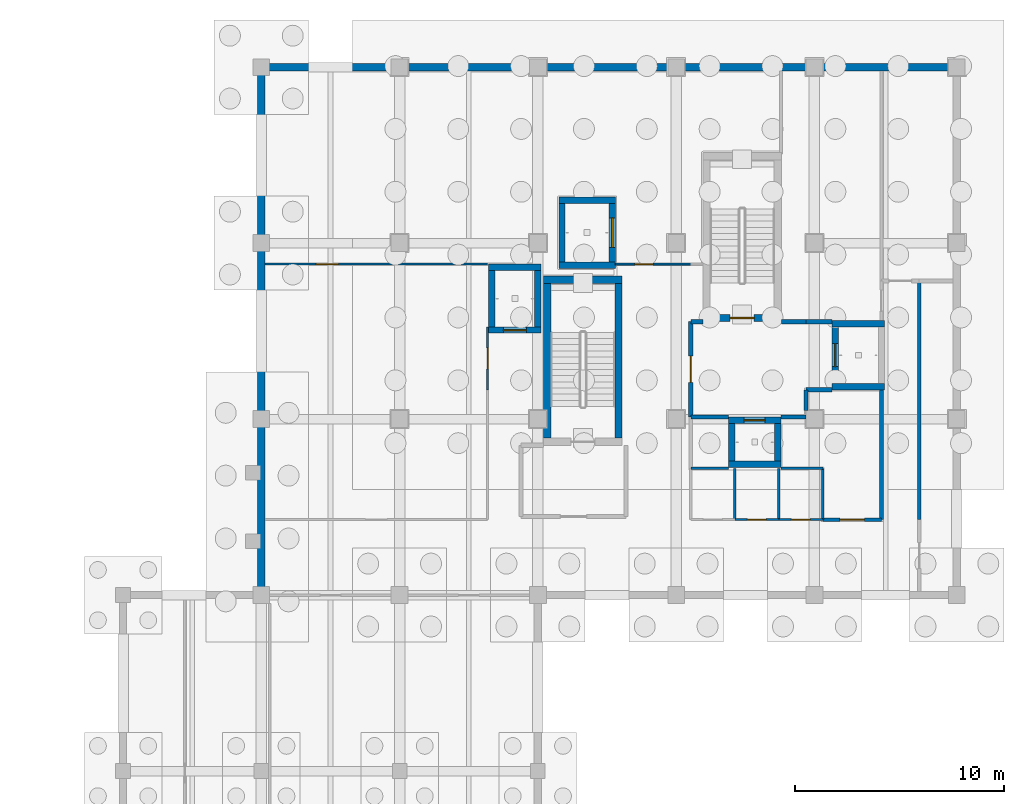
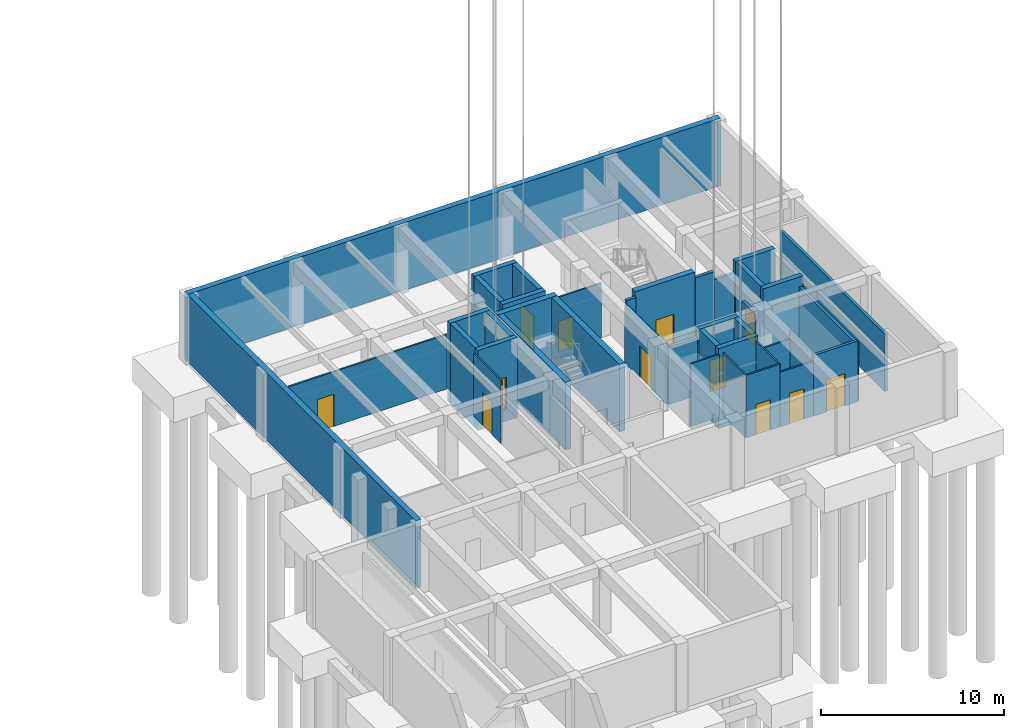
# One storey, part 37 of 44: 42 walls, 12 doors, 12 openings.
"""IFC4 building model written with IfcOpenShell, lengths in metres."""

import ifcopenshell
import ifcopenshell.guid

model = None  # the IFC model being written
_history = None  # IfcOwnerHistory: only IFC2X3 demands one
_inside = {}  # id of a spatial element -> (the spatial element, [elements in it])
_under = {}  # id of a project, library or spatial element -> (it, [spatial elements below it])
_declared = {}  # id of a project -> (the project, [libraries it declares])
_typed = {}  # id of a type object -> (the type object, [elements of that type])
_made_of = {}  # id of a material, layer set ... -> (it, [elements and type objects made of it])


def new_model(schema):
    """Start an empty IFC model of exactly this schema.

    Asked for "IFC4X3", IfcOpenShell would pick the latest addendum, in which some entities
    have other attributes; the version numbers below select the first issue.
    IFC2X3 requires an IfcOwnerHistory on every rooted entity: one is made here for all.
    """
    global model, _history
    if schema == "IFC4X3":
        model = ifcopenshell.file(schema_version=(4, 3, 0, 0))
    else:
        model = ifcopenshell.file(schema=schema)
    _inside.clear()
    _under.clear()
    _declared.clear()
    _typed.clear()
    _made_of.clear()
    _history = None
    if model.schema == "IFC2X3":
        org = make("IfcOrganization", Name="unknown")
        user = make(
            "IfcPersonAndOrganization",
            ThePerson=make("IfcPerson", FamilyName="unknown"),
            TheOrganization=org,
        )
        app = make(
            "IfcApplication",
            ApplicationDeveloper=org,
            Version="unknown",
            ApplicationFullName="unknown",
            ApplicationIdentifier="unknown",
        )
        _history = make(
            "IfcOwnerHistory",
            OwningUser=user,
            OwningApplication=app,
            ChangeAction="ADDED",
            CreationDate=0,
        )
    return model


def make(cls, **values):
    """One entity of the class cls with the attributes given. An attribute that is None is left unset."""
    return model.create_entity(
        cls, **{name: value for name, value in values.items() if value is not None}
    )


def rooted(cls, **values):
    """An entity with a GlobalId (a new one), such as an element, a storey or a relation."""
    return make(cls, GlobalId=ifcopenshell.guid.new(), OwnerHistory=_history, **values)


def si_unit(unit_type, name, prefix=None):
    """IfcSIUnit, for example si_unit("LENGTHUNIT", "METRE", prefix="MILLI")."""
    return make("IfcSIUnit", UnitType=unit_type, Prefix=prefix, Name=name)


def assignment(units):
    """IfcUnitAssignment: the units of a project."""
    return None if units is None else make("IfcUnitAssignment", Units=units)


def point(xyz):
    """IfcCartesianPoint."""
    return None if xyz is None else make("IfcCartesianPoint", Coordinates=xyz)


def direction(xyz):
    """IfcDirection."""
    return None if xyz is None else make("IfcDirection", DirectionRatios=xyz)


def frame(location, z_axis=None, x_axis=None):
    """IfcAxis2Placement3D, a coordinate frame: its origin and axes. An axis left out is left unset."""
    return make(
        "IfcAxis2Placement3D",
        Location=point(location),
        Axis=direction(z_axis),
        RefDirection=direction(x_axis),
    )


def frame_2d(location, x_axis=None):
    """IfcAxis2Placement2D, a coordinate frame in the plane: its origin and x axis."""
    return make(
        "IfcAxis2Placement2D", Location=point(location), RefDirection=direction(x_axis)
    )


def origin():
    """The frame at (0, 0, 0) with its axes left unset."""
    return frame((0.0, 0.0, 0.0))


def place(relative_to, where):
    """IfcLocalPlacement: puts the frame where relative to a parent placement (None: the world)."""
    return make(
        "IfcLocalPlacement", PlacementRelTo=relative_to, RelativePlacement=where
    )


def context(
    kind, dimensions, precision=None, world=None, true_north=None, identifier=None
):
    """IfcGeometricRepresentationContext, for example the 3D "Model" context."""
    return make(
        "IfcGeometricRepresentationContext",
        ContextIdentifier=identifier,
        ContextType=kind,
        CoordinateSpaceDimension=dimensions,
        Precision=precision,
        WorldCoordinateSystem=world,
        TrueNorth=true_north,
    )


def subcontext(parent, identifier, kind, view, scale=None):
    """IfcGeometricRepresentationSubContext, for example "Body" below "Model"."""
    return make(
        "IfcGeometricRepresentationSubContext",
        ContextIdentifier=identifier,
        ContextType=kind,
        ParentContext=parent,
        TargetScale=scale,
        TargetView=view,
    )


def project(units=None, contexts=None):
    """IfcProject with its units and contexts."""
    return rooted(
        "IfcProject",
        Name="project",
        RepresentationContexts=contexts,
        UnitsInContext=assignment(units),
    )


def spatial(cls, under=None, at=None, **own):
    """A site, building, storey or space (cls), placed at a placement, below another one or the project."""
    s = rooted(cls, ObjectPlacement=at, **own)
    if under is not None:
        _under.setdefault(under.id(), (under, []))[1].append(s)
    return s


def profile(cls, at=None, kind="AREA", **sizes):
    """A parametric profile (cls). Its sizes go by their IFC names, for example OverallWidth=200.0."""
    return make(cls, ProfileType=kind, Position=at, **sizes)


def rectangle(**sizes):
    """IfcRectangleProfileDef."""
    return profile("IfcRectangleProfileDef", **sizes)


def extrude(swept, where, along, depth):
    """IfcExtrudedAreaSolid: the profile swept, set in the frame where, extruded along a direction by depth."""
    return make(
        "IfcExtrudedAreaSolid",
        SweptArea=swept,
        Position=where,
        ExtrudedDirection=direction(along),
        Depth=depth,
    )


def shape(context_of_items, identifier, shape_type, items):
    """IfcShapeRepresentation: the items that make up one representation, for example the "Body"."""
    return make(
        "IfcShapeRepresentation",
        ContextOfItems=context_of_items,
        RepresentationIdentifier=identifier,
        RepresentationType=shape_type,
        Items=items,
    )


def material(Name=None, Category=None):
    """IfcMaterial."""
    return make("IfcMaterial", Name=Name, Category=Category)


def layer(
    of_material, thickness, ventilated=None, Name=None, Category=None, Priority=None
):
    """IfcMaterialLayer: one layer of a wall or slab, of a material (None: an air gap)."""
    return make(
        "IfcMaterialLayer",
        Material=of_material,
        LayerThickness=thickness,
        IsVentilated=ventilated,
        Name=Name,
        Category=Category,
        Priority=Priority,
    )


def layer_set(layers, Name=None):
    """IfcMaterialLayerSet."""
    return make("IfcMaterialLayerSet", MaterialLayers=layers, LayerSetName=Name)


def made_of(thing, what):
    """Note that an element or type object is made of a material, layer set ...; save() writes the relation."""
    if what is not None:
        _made_of.setdefault(what.id(), (what, []))[1].append(thing)
    return thing


def type_object(cls, material=None, **own):
    """A type object (cls), such as IfcWallType, which elements share."""
    return made_of(rooted(cls, **own), material)


def element(
    cls,
    number,
    at=None,
    inside=None,
    cuts=None,
    type_object=None,
    material=None,
    context=None,
    identifier="Body",
    shape_type=None,
    held_by="IfcProductDefinitionShape",
    body=None,
    shapes=None,
    **own,
):
    """One element of the class cls, such as IfcWall. Its Tag is "e" and its number.

    at: its placement. inside: the storey or other place that contains it. cuts: it is an
    opening in that element (IfcRelVoidsElement). A single representation is given by context,
    identifier, shape_type and body (its items); several are given by shapes. held_by: the class
    of the entity that holds the representations. save() writes the other relations.
    """
    e = rooted(cls, Tag="e%d" % number, ObjectPlacement=at, **own)
    if body is not None:
        shapes = [shape(context, identifier, shape_type, body)]
    if shapes is not None:
        e.Representation = make(held_by, Representations=shapes)
    if inside is not None:
        _inside.setdefault(inside.id(), (inside, []))[1].append(e)
    if cuts is not None:
        rooted(
            "IfcRelVoidsElement", RelatingBuildingElement=cuts, RelatedOpeningElement=e
        )
    if type_object is not None:
        _typed.setdefault(type_object.id(), (type_object, []))[1].append(e)
    return made_of(e, material)


def fill(opening, filler):
    """IfcRelFillsElement: the door or window that sits in an opening."""
    return rooted(
        "IfcRelFillsElement",
        RelatingOpeningElement=opening,
        RelatedBuildingElement=filler,
    )


def aggregate(whole, parts):
    """IfcRelAggregates: a whole, such as a stair, and the parts it consists of."""
    return rooted("IfcRelAggregates", RelatingObject=whole, RelatedObjects=parts)


def save(model, path):
    """Write the relations noted so far, then the file.

    IfcRelAggregates (storeys below a building ...), IfcRelContainedInSpatialStructure (elements
    in a storey), IfcRelDefinesByType, IfcRelAssociatesMaterial and IfcRelDeclares: one each for
    every whole, place, type object, material and project.
    """
    for whole, parts in _under.values():
        aggregate(whole, parts)
    for where, things in _inside.values():
        rooted(
            "IfcRelContainedInSpatialStructure",
            RelatedElements=things,
            RelatingStructure=where,
        )
    for kind, things in _typed.values():
        rooted("IfcRelDefinesByType", RelatedObjects=things, RelatingType=kind)
    for what, things in _made_of.values():
        rooted("IfcRelAssociatesMaterial", RelatedObjects=things, RelatingMaterial=what)
    for by, libraries in _declared.values():
        rooted("IfcRelDeclares", RelatingContext=by, RelatedDefinitions=libraries)
    model.write(path)


model = new_model("IFC4")

# Units and contexts
model_context = context("Model", 3, precision=1e-05, world=origin(), true_north=direction((0.0, 1.0)))
body_context = subcontext(model_context, "Body", "Model", "MODEL_VIEW")
ifc_project = project(units=[si_unit("LENGTHUNIT", "METRE"), si_unit("AREAUNIT", "SQUARE_METRE"), si_unit("VOLUMEUNIT", "CUBIC_METRE"), si_unit("PLANEANGLEUNIT", "RADIAN"), si_unit("MASSUNIT", "GRAM", prefix="KILO")], contexts=[model_context])

# Site, building, storey
site_placement = place(None, origin())
site = spatial("IfcSite", under=ifc_project, at=site_placement, CompositionType="ELEMENT")
building_placement = place(site_placement, origin())
building = spatial("IfcBuilding", under=site, at=building_placement, Name="Kolvaren Faculty of Natural Sciences", CompositionType="ELEMENT")
storey_placement = place(building_placement, frame((0.0, 0.0, -4.5)))
storey = spatial("IfcBuildingStorey", under=building, at=storey_placement, Name="B01", CompositionType="ELEMENT", Elevation=-4.5)

# Walls
ifc_material_1 = material(Name="Concrete C35/45", Category="concrete")
ifc_layer_1 = layer(ifc_material_1, 0.35009765625)
ifc_layer_set_1 = layer_set([ifc_layer_1], Name="Concrete C35/45")
wall_type_1 = type_object("IfcWallType", Name="BasementRetainingWall_350", PredefinedType="SOLIDWALL", material=ifc_layer_set_1)
wall_1_placement = place(storey_placement, frame((138.800048828125, 59.175048828125, 0.0), z_axis=(0.0, 0.0, 1.0), x_axis=(0.0, 1.0, 0.0)))
element("IfcWall", 1, at=wall_1_placement, inside=storey, type_object=wall_type_1, Name="B01 perimeter reinforced concrete retaining wall 6.1", PredefinedType="SOLIDWALL", context=body_context, shape_type="SweptSolid", body=[
    extrude(rectangle(XDim=24.849853515625, YDim=0.35009765625, at=frame_2d((12.4248046875, 0.0))), origin(), (0.0, 0.0, 1.0), 4.5),
])
wall_2_placement = place(storey_placement, frame((138.625, 84.199951171875, 0.0), z_axis=(0.0, 0.0, 1.0), x_axis=(1.0, 0.0, 0.0)))
element("IfcWall", 2, at=wall_2_placement, inside=storey, type_object=wall_type_1, Name="B01 perimeter reinforced concrete retaining wall 7", PredefinedType="SOLIDWALL", context=body_context, shape_type="SweptSolid", body=[
    extrude(rectangle(XDim=33.550048828125, YDim=0.35009765625, at=frame_2d((16.77490234375, 0.0))), origin(), (0.0, 0.0, 1.0), 4.5),
])

# Wall, opening, door
ifc_material_2 = material(Name="Concrete C40/50", Category="concrete")
ifc_layer_2 = layer(ifc_material_2, 0.35009765625)
ifc_layer_set_2 = layer_set([ifc_layer_2], Name="Concrete C40/50")
wall_type_2 = type_object("IfcWallType", Name="CoreShearWall_350", PredefinedType="SHEAR", material=ifc_layer_set_2)
wall_3_placement = place(storey_placement, frame((159.875, 72.22509765625, 0.0), z_axis=(0.0, 0.0, 1.0), x_axis=(1.0, 0.0, 0.0)))
wall_3 = element("IfcWall", 3, at=wall_3_placement, inside=storey, type_object=wall_type_2, Name="B01 CORE-C1 stair shear wall S", PredefinedType="SHEAR", context=body_context, shape_type="SweptSolid", body=[
    extrude(rectangle(XDim=3.75, YDim=0.35009765625, at=frame_2d((1.875, 0.0))), origin(), (0.0, 0.0, 1.0), 4.5),
])
opening_1_placement = place(wall_3_placement, frame((1.300048828125, 0.0, 0.0)))
opening_1 = element("IfcOpeningElement", 4, at=opening_1_placement, cuts=wall_3, Name="Opening FD90", PredefinedType="OPENING", context=body_context, shape_type="SweptSolid", body=[
    extrude(rectangle(XDim=1.14990234375, YDim=2.14990234375, at=frame_2d((0.574951171875, 1.074951171875))), frame((0.0, 0.18505859375, 0.0), z_axis=(0.0, -1.0, 0.0), x_axis=(1.0, 0.0, 0.0)), (0.0, 0.0, 1.0), 0.3701171875),
])
ifc_material_3 = material(Name="Fire-rated solid-core hardwood door leaf in steel frame", Category="steel")
door_type_1 = type_object("IfcDoorType", Name="StairCoreFireDoor_1150x2150", OperationType="NOTDEFINED", PredefinedType="DOOR", material=ifc_material_3)
door_1_placement = place(opening_1_placement, origin())
door_1 = element("IfcDoor", 5, at=door_1_placement, inside=storey, type_object=door_type_1, Name="D-ST-ST-1-B01", OperationType="SINGLE_SWING_LEFT", OverallHeight=2.14990234375, OverallWidth=1.14990234375, PredefinedType="DOOR", context=body_context, shape_type="SweptSolid", body=[
    extrude(rectangle(XDim=1.14990234375, YDim=2.14990234375, at=frame_2d((0.574951171875, 1.074951171875))), frame((0.0, 0.02490234375, 0.0), z_axis=(0.0, -1.0, 0.0), x_axis=(1.0, 0.0, 0.0)), (0.0, 0.0, 1.0), 0.050048828125),
])
fill(opening_1, door_1)

# Walls
wall_4_placement = place(storey_placement, frame((152.27490234375, 74.050048828125, 0.0), z_axis=(0.0, 0.0, 1.0), x_axis=(1.0, 0.0, 0.0)))
element("IfcWall", 6, at=wall_4_placement, inside=storey, type_object=wall_type_2, Name="B01 CORE-C2 stair shear wall N", PredefinedType="SHEAR", context=body_context, shape_type="SweptSolid", body=[
    extrude(rectangle(XDim=3.75, YDim=0.35009765625, at=frame_2d((1.875, 0.0))), origin(), (0.0, 0.0, 1.0), 4.5),
])
for number, where, z_axis, x_axis, name in (
    (7, (152.449951171875, 66.5, 0.0), (0.0, 0.0, 1.0), (0.0, 1.0, 0.0), "B01 CORE-C2 stair shear wall W"),
    (8, (155.85009765625, 66.5, 0.0), (0.0, 0.0, 1.0), (0.0, 1.0, 0.0), "B01 CORE-C2 stair shear wall E"),
):
    element("IfcWall", number, at=place(storey_placement, frame(where, z_axis=z_axis, x_axis=x_axis)), inside=storey, type_object=wall_type_2, Name=name, PredefinedType="SHEAR", context=body_context, shape_type="SweptSolid", body=[
        extrude(rectangle(XDim=7.375, YDim=0.35009765625, at=frame_2d((3.6875, 0.0))), origin(), (0.0, 0.0, 1.0), 4.5),
    ])

# Wall, opening, door
ifc_material_4 = material(Name="Acoustic mineral-wool insulated gypsum partition")
ifc_layer_3 = layer(ifc_material_4, 0.094970703125)
ifc_layer_set_3 = layer_set([ifc_layer_3], Name="Acoustic mineral-wool insulated gypsum partition")
wall_type_3 = type_object("IfcWallType", Name="CubiclePartition_095", PredefinedType="PARTITIONING", material=ifc_layer_set_3)
wall_5_placement = place(storey_placement, frame((159.300048828125, 74.800048828125, 0.0), z_axis=(0.0, 0.0, 1.0), x_axis=(-1.0, 0.0, 0.0)))
wall_5 = element("IfcWall", 9, at=wall_5_placement, inside=storey, type_object=wall_type_3, Name="B01 interior partition PW-095", PredefinedType="PARTITIONING", context=body_context, shape_type="SweptSolid", body=[
    extrude(rectangle(XDim=3.60009765625, YDim=0.094970703125, at=frame_2d((1.800048828125, 0.0))), origin(), (0.0, 0.0, 1.0), 3.635009765625),
])
opening_2_placement = place(wall_5_placement, frame((1.781982421875, 0.0, 0.0)))
opening_2 = element("IfcOpeningElement", 10, at=opening_2_placement, cuts=wall_5, Name="Opening ID-01", PredefinedType="OPENING", context=body_context, shape_type="SweptSolid", body=[
    extrude(rectangle(XDim=0.89990234375, YDim=2.02001953125, at=frame_2d((0.449951171875, 1.010009765625))), frame((0.0, 0.057373046875, 0.0), z_axis=(0.0, -1.0, 0.0), x_axis=(1.0, 0.0, 0.0)), (0.0, 0.0, 1.0), 0.114990234375),
])
ifc_material_5 = material(Name="Solid-core hardwood veneer door leaf in steel frame", Category="steel")
door_type_2 = type_object("IfcDoorType", Name="InteriorRoomDoor_900x2020", OperationType="NOTDEFINED", PredefinedType="DOOR", material=ifc_material_5)
door_2_placement = place(opening_2_placement, origin())
door_2 = element("IfcDoor", 11, at=door_2_placement, inside=storey, type_object=door_type_2, Name="D-B01-0018", OperationType="SINGLE_SWING_RIGHT", OverallHeight=2.02001953125, OverallWidth=0.89990234375, PredefinedType="DOOR", context=body_context, shape_type="SweptSolid", body=[
    extrude(rectangle(XDim=0.89990234375, YDim=2.02001953125, at=frame_2d((0.449951171875, 1.010009765625))), frame((0.0, 0.02490234375, 0.0), z_axis=(0.0, -1.0, 0.0), x_axis=(1.0, 0.0, 0.0)), (0.0, 0.0, 1.0), 0.050048828125),
])
fill(opening_2, door_2)

# Walls
ifc_material_6 = material(Name="Autoclaved aerated fire-rated masonry blockwork", Category="masonry")
ifc_layer_4 = layer(ifc_material_6, 0.199951171875)
ifc_layer_set_4 = layer_set([ifc_layer_4], Name="Autoclaved aerated fire-rated masonry blockwork")
wall_type_4 = type_object("IfcWallType", Name="FireLobbyWall_200", PredefinedType="PARTITIONING", material=ifc_layer_set_4)
wall_6_placement = place(storey_placement, frame((159.300048828125, 72.050048828125, 0.0), z_axis=(0.0, 0.0, 1.0), x_axis=(1.0, 0.0, 0.0)))
element("IfcWall", 12, at=wall_6_placement, inside=storey, type_object=wall_type_4, Name="B01 interior partition FW-200", PredefinedType="PARTITIONING", context=body_context, shape_type="SweptSolid", body=[
    extrude(rectangle(XDim=0.574951171875, YDim=0.199951171875, at=frame_2d((0.28759765625, 0.0))), origin(), (0.0, 0.0, 1.0), 4.175048828125),
])
wall_7_placement = place(storey_placement, frame((163.625, 72.050048828125, 0.0), z_axis=(0.0, 0.0, 1.0), x_axis=(1.0, 0.0, 0.0)))
element("IfcWall", 13, at=wall_7_placement, inside=storey, type_object=wall_type_4, Name="B01 interior partition FW-200", PredefinedType="PARTITIONING", context=body_context, shape_type="SweptSolid", body=[
    extrude(rectangle(XDim=1.175048828125, YDim=0.199951171875, at=frame_2d((0.58740234375, 0.0))), origin(), (0.0, 0.0, 1.0), 4.175048828125),
])
for number, where, z_axis, x_axis, name in (
    (14, (164.800048828125, 72.050048828125, 0.0), (0.0, 0.0, 1.0), (1.0, 0.0, 0.0), "B01 interior partition FW-200"),
    (15, (166.050048828125, 68.800048828125, 0.0), (0.0, 0.0, 1.0), (-1.0, 0.0, 0.0), "B01 interior partition FW-200"),
):
    element("IfcWall", number, at=place(storey_placement, frame(where, z_axis=z_axis, x_axis=x_axis)), inside=storey, type_object=wall_type_4, Name=name, PredefinedType="PARTITIONING", context=body_context, shape_type="SweptSolid", body=[
        extrude(rectangle(XDim=1.25, YDim=0.199951171875, at=frame_2d((0.625, 0.0))), origin(), (0.0, 0.0, 1.0), 3.635009765625),
    ])
wall_8_placement = place(storey_placement, frame((164.800048828125, 68.800048828125, 0.0), z_axis=(0.0, 0.0, 1.0), x_axis=(0.0, -1.0, 0.0)))
element("IfcWall", 16, at=wall_8_placement, inside=storey, type_object=wall_type_4, Name="B01 interior partition FW-200", PredefinedType="PARTITIONING", context=body_context, shape_type="SweptSolid", body=[
    extrude(rectangle(XDim=1.0, YDim=0.199951171875, at=frame_2d((0.5, 0.0))), origin(), (0.0, 0.0, 1.0), 4.175048828125),
])
wall_9_placement = place(storey_placement, frame((164.800048828125, 67.5, 0.0), z_axis=(0.0, 0.0, 1.0), x_axis=(-1.0, 0.0, 0.0)))
element("IfcWall", 17, at=wall_9_placement, inside=storey, type_object=wall_type_4, Name="B01 interior partition FW-200", PredefinedType="PARTITIONING", context=body_context, shape_type="SweptSolid", body=[
    extrude(rectangle(XDim=1.199951171875, YDim=0.199951171875, at=frame_2d((0.60009765625, 0.0))), origin(), (0.0, 0.0, 1.0), 3.8349609375),
])
wall_10_placement = place(storey_placement, frame((161.10009765625, 67.5, 0.0), z_axis=(0.0, 0.0, 1.0), x_axis=(-1.0, 0.0, 0.0)))
element("IfcWall", 18, at=wall_10_placement, inside=storey, type_object=wall_type_4, Name="B01 interior partition FW-200", PredefinedType="PARTITIONING", context=body_context, shape_type="SweptSolid", body=[
    extrude(rectangle(XDim=1.800048828125, YDim=0.199951171875, at=frame_2d((0.89990234375, 0.0))), origin(), (0.0, 0.0, 1.0), 3.8349609375),
])

# Wall, opening, door
wall_11_placement = place(storey_placement, frame((159.300048828125, 67.5, 0.0), z_axis=(0.0, 0.0, 1.0), x_axis=(0.0, 1.0, 0.0)))
wall_11 = element("IfcWall", 19, at=wall_11_placement, inside=storey, type_object=wall_type_4, Name="B01 interior partition FW-200", PredefinedType="PARTITIONING", context=body_context, shape_type="SweptSolid", body=[
    extrude(rectangle(XDim=4.550048828125, YDim=0.199951171875, at=frame_2d((2.27490234375, 0.0))), origin(), (0.0, 0.0, 1.0), 3.8349609375),
])
opening_3_placement = place(wall_11_placement, frame((1.64990234375, 0.0, 0.0)))
opening_3 = element("IfcOpeningElement", 20, at=opening_3_placement, cuts=wall_11, Name="Opening FD60", PredefinedType="OPENING", context=body_context, shape_type="SweptSolid", body=[
    extrude(rectangle(XDim=1.25, YDim=2.14990234375, at=frame_2d((0.625, 1.074951171875))), frame((0.0, 0.10986328125, 0.0), z_axis=(0.0, -1.0, 0.0), x_axis=(1.0, 0.0, 0.0)), (0.0, 0.0, 1.0), 0.219970703125),
])
door_type_3 = type_object("IfcDoorType", Name="RescueLobbyFireDoor_1250x2150", OperationType="NOTDEFINED", PredefinedType="DOOR", material=ifc_material_3)
door_3_placement = place(opening_3_placement, origin())
door_3 = element("IfcDoor", 21, at=door_3_placement, inside=storey, type_object=door_type_3, Name="D-B01-0001", OperationType="SINGLE_SWING_LEFT", OverallHeight=2.14990234375, OverallWidth=1.25, PredefinedType="DOOR", context=body_context, shape_type="SweptSolid", body=[
    extrude(rectangle(XDim=1.25, YDim=2.14990234375, at=frame_2d((0.625, 1.074951171875))), frame((0.0, 0.02490234375, 0.0), z_axis=(0.0, -1.0, 0.0), x_axis=(1.0, 0.0, 0.0)), (0.0, 0.0, 1.0), 0.050048828125),
])
fill(opening_3, door_3)

# Wall
ifc_layer_5 = layer(ifc_material_4, 0.179931640625)
ifc_layer_set_5 = layer_set([ifc_layer_5], Name="Acoustic mineral-wool insulated gypsum partition")
wall_type_5 = type_object("IfcWallType", Name="LabPartitionWall_180", PredefinedType="PARTITIONING", material=ifc_layer_set_5)
wall_12_placement = place(storey_placement, frame((168.39990234375, 68.798095703125, 0.0), z_axis=(0.0, 0.0, 1.0), x_axis=(0.0, -1.0, 0.0)))
element("IfcWall", 22, at=wall_12_placement, inside=storey, type_object=wall_type_5, Name="B01 interior partition PW-180", PredefinedType="PARTITIONING", context=body_context, shape_type="SweptSolid", body=[
    extrude(rectangle(XDim=6.197998046875, YDim=0.179931640625, at=frame_2d((3.09912109375, 0.0))), origin(), (0.0, 0.0, 1.0), 3.8349609375),
])

# Wall, opening, door
wall_13_placement = place(storey_placement, frame((168.39990234375, 62.60009765625, 0.0), z_axis=(0.0, 0.0, 1.0), x_axis=(-1.0, 0.0, 0.0)))
wall_13 = element("IfcWall", 23, at=wall_13_placement, inside=storey, type_object=wall_type_5, Name="B01 interior partition PW-180", PredefinedType="PARTITIONING", context=body_context, shape_type="SweptSolid", body=[
    extrude(rectangle(XDim=2.7998046875, YDim=0.179931640625, at=frame_2d((1.39990234375, 0.0))), origin(), (0.0, 0.0, 1.0), 4.034912109375),
])
opening_4_placement = place(wall_13_placement, frame((0.820068359375, 0.0, 0.0)))
opening_4 = element("IfcOpeningElement", 24, at=opening_4_placement, cuts=wall_13, Name="Opening ID-24", PredefinedType="OPENING", context=body_context, shape_type="SweptSolid", body=[
    extrude(rectangle(XDim=1.159912109375, YDim=2.139892578125, at=frame_2d((0.580078125, 1.06982421875))), frame((0.0, 0.099853515625, 0.0), z_axis=(0.0, -1.0, 0.0), x_axis=(1.0, 0.0, 0.0)), (0.0, 0.0, 1.0), 0.199951171875),
])
door_type_4 = type_object("IfcDoorType", Name="InteriorRoomDoor_1160x2140", OperationType="NOTDEFINED", PredefinedType="DOOR", material=ifc_material_5)
door_4_placement = place(opening_4_placement, origin())
door_4 = element("IfcDoor", 25, at=door_4_placement, inside=storey, type_object=door_type_4, Name="D-B01-0021", OperationType="SINGLE_SWING_LEFT", OverallHeight=2.139892578125, OverallWidth=1.159912109375, PredefinedType="DOOR", context=body_context, shape_type="SweptSolid", body=[
    extrude(rectangle(XDim=1.159912109375, YDim=2.139892578125, at=frame_2d((0.580078125, 1.06982421875))), frame((0.0, 0.02490234375, 0.0), z_axis=(0.0, -1.0, 0.0), x_axis=(1.0, 0.0, 0.0)), (0.0, 0.0, 1.0), 0.050048828125),
])
fill(opening_4, door_4)

# Walls
ifc_layer_6 = layer(ifc_material_4, 0.169921875)
ifc_layer_set_6 = layer_set([ifc_layer_6], Name="Acoustic mineral-wool insulated gypsum partition")
wall_type_6 = type_object("IfcWallType", Name="SeminarPartitionWall_170", PredefinedType="PARTITIONING", material=ifc_layer_set_6)
wall_14_placement = place(storey_placement, frame((170.199951171875, 62.60009765625, 0.0), z_axis=(0.0, 0.0, 1.0), x_axis=(0.0, 1.0, 0.0)))
element("IfcWall", 26, at=wall_14_placement, inside=storey, type_object=wall_type_6, Name="B01 interior partition PW-170", PredefinedType="PARTITIONING", context=body_context, shape_type="SweptSolid", body=[
    extrude(rectangle(XDim=11.39990234375, YDim=0.169921875, at=frame_2d((5.699951171875, 0.0))), origin(), (0.0, 0.0, 1.0), 3.8349609375),
])
ifc_layer_7 = layer(ifc_material_2, 0.300048828125)
ifc_layer_set_7 = layer_set([ifc_layer_7], Name="Concrete C40/50")
wall_type_7 = type_object("IfcWallType", Name="ShaftShearWall_300", PredefinedType="SHEAR", material=ifc_layer_set_7)
for number, where, z_axis, x_axis, name in (
    (27, (166.050048828125, 68.949951171875, -0.820068359375), (0.0, 0.0, 1.0), (1.0, 0.0, 0.0), "B01 lift FL-1 shaft wall S"),
    (28, (166.050048828125, 71.949951171875, -0.820068359375), (0.0, 0.0, 1.0), (1.0, 0.0, 0.0), "B01 lift FL-1 shaft wall N"),
):
    element("IfcWall", number, at=place(storey_placement, frame(where, z_axis=z_axis, x_axis=x_axis)), inside=storey, type_object=wall_type_7, Name=name, PredefinedType="SHEAR", context=body_context, shape_type="SweptSolid", body=[
        extrude(rectangle(XDim=2.5, YDim=0.300048828125, at=frame_2d((1.25, 0.0))), origin(), (0.0, 0.0, 1.0), 5.320068359375),
    ])

# Wall, opening, door
wall_15_placement = place(storey_placement, frame((166.199951171875, 69.10009765625, -0.820068359375), z_axis=(0.0, 0.0, 1.0), x_axis=(0.0, 1.0, 0.0)))
wall_15 = element("IfcWall", 29, at=wall_15_placement, inside=storey, type_object=wall_type_7, Name="B01 lift FL-1 shaft wall W", PredefinedType="SHEAR", context=body_context, shape_type="SweptSolid", body=[
    extrude(rectangle(XDim=2.699951171875, YDim=0.300048828125, at=frame_2d((1.35009765625, 0.0))), origin(), (0.0, 0.0, 1.0), 5.320068359375),
])
opening_5_placement = place(wall_15_placement, frame((0.800048828125, 0.0, 0.820068359375)))
opening_5 = element("IfcOpeningElement", 30, at=opening_5_placement, cuts=wall_15, Name="Opening LD-01", PredefinedType="OPENING", context=body_context, shape_type="SweptSolid", body=[
    extrude(rectangle(XDim=1.10009765625, YDim=2.10009765625, at=frame_2d((0.550048828125, 1.050048828125))), frame((0.0, 0.159912109375, 0.0), z_axis=(0.0, -1.0, 0.0), x_axis=(1.0, 0.0, 0.0)), (0.0, 0.0, 1.0), 0.320068359375),
])
ifc_material_7 = material(Name="Brushed stainless steel lift car and sliding door assembly", Category="steel")
door_type_5 = type_object("IfcDoorType", Name="LiftLandingSliding_1100x2100", OperationType="DOUBLE_DOOR_SLIDING", PredefinedType="DOOR", material=ifc_material_7)
door_5_placement = place(opening_5_placement, origin())
door_5 = element("IfcDoor", 31, at=door_5_placement, inside=storey, type_object=door_type_5, Name="D-LIFT-FL-1-B01", OperationType="DOUBLE_DOOR_SLIDING", OverallHeight=2.10009765625, OverallWidth=1.10009765625, PredefinedType="DOOR", context=body_context, shape_type="SweptSolid", body=[
    extrude(rectangle(XDim=1.10009765625, YDim=2.10009765625, at=frame_2d((0.550048828125, 1.050048828125))), frame((0.0, 0.02490234375, 0.0), z_axis=(0.0, -1.0, 0.0), x_axis=(1.0, 0.0, 0.0)), (0.0, 0.0, 1.0), 0.050048828125),
])
fill(opening_5, door_5)

# Wall
wall_16_placement = place(storey_placement, frame((161.10009765625, 65.25, -0.820068359375), z_axis=(0.0, 0.0, 1.0), x_axis=(1.0, 0.0, 0.0)))
element("IfcWall", 32, at=wall_16_placement, inside=storey, type_object=wall_type_7, Name="B01 lift PL-1 shaft wall S", PredefinedType="SHEAR", context=body_context, shape_type="SweptSolid", body=[
    extrude(rectangle(XDim=2.5, YDim=0.300048828125, at=frame_2d((1.25, 0.0))), origin(), (0.0, 0.0, 1.0), 5.320068359375),
])

# Wall, opening, door
wall_17_placement = place(storey_placement, frame((161.10009765625, 67.35009765625, -0.820068359375), z_axis=(0.0, 0.0, 1.0), x_axis=(1.0, 0.0, 0.0)))
wall_17 = element("IfcWall", 33, at=wall_17_placement, inside=storey, type_object=wall_type_7, Name="B01 lift PL-1 shaft wall N", PredefinedType="SHEAR", context=body_context, shape_type="SweptSolid", body=[
    extrude(rectangle(XDim=2.5, YDim=0.300048828125, at=frame_2d((1.25, 0.0))), origin(), (0.0, 0.0, 1.0), 5.320068359375),
])
opening_6_placement = place(wall_17_placement, frame((0.75, 0.0, 0.820068359375)))
opening_6 = element("IfcOpeningElement", 34, at=opening_6_placement, cuts=wall_17, Name="Opening LD-02", PredefinedType="OPENING", context=body_context, shape_type="SweptSolid", body=[
    extrude(rectangle(XDim=1.0, YDim=2.10009765625, at=frame_2d((0.5, 1.050048828125))), frame((0.0, 0.159912109375, 0.0), z_axis=(0.0, -1.0, 0.0), x_axis=(1.0, 0.0, 0.0)), (0.0, 0.0, 1.0), 0.320068359375),
])
door_type_6 = type_object("IfcDoorType", Name="LiftLandingSliding_1000x2100", OperationType="SLIDING_TO_LEFT", PredefinedType="DOOR", material=ifc_material_7)
door_6_placement = place(opening_6_placement, origin())
door_6 = element("IfcDoor", 35, at=door_6_placement, inside=storey, type_object=door_type_6, Name="D-LIFT-PL-1-B01", OperationType="SLIDING_TO_LEFT", OverallHeight=2.10009765625, OverallWidth=1.0, PredefinedType="DOOR", context=body_context, shape_type="SweptSolid", body=[
    extrude(rectangle(XDim=1.0, YDim=2.10009765625, at=frame_2d((0.5, 1.050048828125))), frame((0.0, 0.02490234375, 0.0), z_axis=(0.0, -1.0, 0.0), x_axis=(1.0, 0.0, 0.0)), (0.0, 0.0, 1.0), 0.050048828125),
])
fill(opening_6, door_6)

# Walls
for number, where, z_axis, x_axis, name in (
    (36, (161.25, 65.39990234375, -0.820068359375), (0.0, 0.0, 1.0), (0.0, 1.0, 0.0), "B01 lift PL-1 shaft wall W"),
    (37, (163.449951171875, 65.39990234375, -0.820068359375), (0.0, 0.0, 1.0), (0.0, 1.0, 0.0), "B01 lift PL-1 shaft wall E"),
):
    element("IfcWall", number, at=place(storey_placement, frame(where, z_axis=z_axis, x_axis=x_axis)), inside=storey, type_object=wall_type_7, Name=name, PredefinedType="SHEAR", context=body_context, shape_type="SweptSolid", body=[
        extrude(rectangle(XDim=1.800048828125, YDim=0.300048828125, at=frame_2d((0.89990234375, 0.0))), origin(), (0.0, 0.0, 1.0), 5.320068359375),
    ])

# Wall, opening, door
wall_18_placement = place(storey_placement, frame((149.64990234375, 71.64990234375, -0.820068359375), z_axis=(0.0, 0.0, 1.0), x_axis=(1.0, 0.0, 0.0)))
wall_18 = element("IfcWall", 38, at=wall_18_placement, inside=storey, type_object=wall_type_7, Name="B01 lift FL-2 shaft wall S", PredefinedType="SHEAR", context=body_context, shape_type="SweptSolid", body=[
    extrude(rectangle(XDim=2.5, YDim=0.300048828125, at=frame_2d((1.25, 0.0))), origin(), (0.0, 0.0, 1.0), 5.320068359375),
])
opening_7_placement = place(wall_18_placement, frame((0.699951171875, 0.0, 0.820068359375)))
opening_7 = element("IfcOpeningElement", 39, at=opening_7_placement, cuts=wall_18, Name="Opening LD-01", PredefinedType="OPENING", context=body_context, shape_type="SweptSolid", body=[
    extrude(rectangle(XDim=1.10009765625, YDim=2.10009765625, at=frame_2d((0.550048828125, 1.050048828125))), frame((0.0, 0.159912109375, 0.0), z_axis=(0.0, -1.0, 0.0), x_axis=(1.0, 0.0, 0.0)), (0.0, 0.0, 1.0), 0.320068359375),
])
door_7_placement = place(opening_7_placement, origin())
door_7 = element("IfcDoor", 40, at=door_7_placement, inside=storey, type_object=door_type_5, Name="D-LIFT-FL-2-B01", OperationType="DOUBLE_DOOR_SLIDING", OverallHeight=2.10009765625, OverallWidth=1.10009765625, PredefinedType="DOOR", context=body_context, shape_type="SweptSolid", body=[
    extrude(rectangle(XDim=1.10009765625, YDim=2.10009765625, at=frame_2d((0.550048828125, 1.050048828125))), frame((0.0, 0.02490234375, 0.0), z_axis=(0.0, -1.0, 0.0), x_axis=(1.0, 0.0, 0.0)), (0.0, 0.0, 1.0), 0.050048828125),
])
fill(opening_7, door_7)

# Walls
wall_19_placement = place(storey_placement, frame((149.64990234375, 74.64990234375, -0.820068359375), z_axis=(0.0, 0.0, 1.0), x_axis=(1.0, 0.0, 0.0)))
element("IfcWall", 41, at=wall_19_placement, inside=storey, type_object=wall_type_7, Name="B01 lift FL-2 shaft wall N", PredefinedType="SHEAR", context=body_context, shape_type="SweptSolid", body=[
    extrude(rectangle(XDim=2.5, YDim=0.300048828125, at=frame_2d((1.25, 0.0))), origin(), (0.0, 0.0, 1.0), 5.320068359375),
])
for number, where, z_axis, x_axis, name in (
    (42, (149.800048828125, 71.800048828125, -0.820068359375), (0.0, 0.0, 1.0), (0.0, 1.0, 0.0), "B01 lift FL-2 shaft wall W"),
    (43, (152.0, 71.800048828125, -0.820068359375), (0.0, 0.0, 1.0), (0.0, 1.0, 0.0), "B01 lift FL-2 shaft wall E"),
    (44, (153.0, 74.75, -0.820068359375), (0.0, 0.0, 1.0), (1.0, 0.0, 0.0), "B01 lift GL-2 shaft wall S"),
    (45, (153.0, 77.85009765625, -0.820068359375), (0.0, 0.0, 1.0), (1.0, 0.0, 0.0), "B01 lift GL-2 shaft wall N"),
):
    element("IfcWall", number, at=place(storey_placement, frame(where, z_axis=z_axis, x_axis=x_axis)), inside=storey, type_object=wall_type_7, Name=name, PredefinedType="SHEAR", context=body_context, shape_type="SweptSolid", body=[
        extrude(rectangle(XDim=2.699951171875, YDim=0.300048828125, at=frame_2d((1.35009765625, 0.0))), origin(), (0.0, 0.0, 1.0), 5.320068359375),
    ])
wall_20_placement = place(storey_placement, frame((153.14990234375, 74.89990234375, -0.820068359375), z_axis=(0.0, 0.0, 1.0), x_axis=(0.0, 1.0, 0.0)))
element("IfcWall", 46, at=wall_20_placement, inside=storey, type_object=wall_type_7, Name="B01 lift GL-2 shaft wall W", PredefinedType="SHEAR", context=body_context, shape_type="SweptSolid", body=[
    extrude(rectangle(XDim=2.800048828125, YDim=0.300048828125, at=frame_2d((1.39990234375, 0.0))), origin(), (0.0, 0.0, 1.0), 5.320068359375),
])

# Wall, opening, door
wall_21_placement = place(storey_placement, frame((155.550048828125, 74.89990234375, -0.820068359375), z_axis=(0.0, 0.0, 1.0), x_axis=(0.0, 1.0, 0.0)))
wall_21 = element("IfcWall", 47, at=wall_21_placement, inside=storey, type_object=wall_type_7, Name="B01 lift GL-2 shaft wall E", PredefinedType="SHEAR", context=body_context, shape_type="SweptSolid", body=[
    extrude(rectangle(XDim=2.800048828125, YDim=0.300048828125, at=frame_2d((1.39990234375, 0.0))), origin(), (0.0, 0.0, 1.0), 5.320068359375),
])
opening_8_placement = place(wall_21_placement, frame((0.699951171875, 0.0, 0.820068359375)))
opening_8 = element("IfcOpeningElement", 48, at=opening_8_placement, cuts=wall_21, Name="Opening LD-03", PredefinedType="OPENING", context=body_context, shape_type="SweptSolid", body=[
    extrude(rectangle(XDim=1.39990234375, YDim=2.199951171875, at=frame_2d((0.699951171875, 1.10009765625))), frame((0.0, 0.159912109375, 0.0), z_axis=(0.0, -1.0, 0.0), x_axis=(1.0, 0.0, 0.0)), (0.0, 0.0, 1.0), 0.320068359375),
])
door_type_7 = type_object("IfcDoorType", Name="GoodsLiftSliding_1400x2200", OperationType="DOUBLE_DOOR_SLIDING", PredefinedType="DOOR", material=ifc_material_7)
door_8_placement = place(opening_8_placement, origin())
door_8 = element("IfcDoor", 49, at=door_8_placement, inside=storey, type_object=door_type_7, Name="D-LIFT-GL-2-B01", OperationType="DOUBLE_DOOR_SLIDING", OverallHeight=2.199951171875, OverallWidth=1.39990234375, PredefinedType="DOOR", context=body_context, shape_type="SweptSolid", body=[
    extrude(rectangle(XDim=1.39990234375, YDim=2.199951171875, at=frame_2d((0.699951171875, 1.10009765625))), frame((0.0, 0.02490234375, 0.0), z_axis=(0.0, -1.0, 0.0), x_axis=(1.0, 0.0, 0.0)), (0.0, 0.0, 1.0), 0.050048828125),
])
fill(opening_8, door_8)

# Walls
ifc_layer_8 = layer(ifc_material_4, 0.10498046875)
ifc_layer_set_8 = layer_set([ifc_layer_8], Name="Acoustic mineral-wool insulated gypsum partition")
wall_type_8 = type_object("IfcWallType", Name="WetRoomPartition_105", PredefinedType="PARTITIONING", material=ifc_layer_set_8)
wall_22_placement = place(storey_placement, frame((159.300048828125, 65.050048828125, 0.0), z_axis=(0.0, 0.0, 1.0), x_axis=(1.0, 0.0, 0.0)))
element("IfcWall", 50, at=wall_22_placement, inside=storey, type_object=wall_type_8, Name="B01 interior partition PW-105", PredefinedType="PARTITIONING", context=body_context, shape_type="SweptSolid", body=[
    extrude(rectangle(XDim=1.800048828125, YDim=0.10498046875, at=frame_2d((0.89990234375, 0.0))), origin(), (0.0, 0.0, 1.0), 4.175048828125),
])
for number, where, z_axis, x_axis, name in (
    (51, (161.39990234375, 65.050048828125, 0.0), (0.0, 0.0, 1.0), (0.0, -1.0, 0.0), "B01 interior partition PW-105"),
    (52, (163.5, 65.050048828125, 0.0), (0.0, 0.0, 1.0), (0.0, -1.0, 0.0), "B01 interior partition PW-105"),
):
    element("IfcWall", number, at=place(storey_placement, frame(where, z_axis=z_axis, x_axis=x_axis)), inside=storey, type_object=wall_type_8, Name=name, PredefinedType="PARTITIONING", context=body_context, shape_type="SweptSolid", body=[
        extrude(rectangle(XDim=2.449951171875, YDim=0.10498046875, at=frame_2d((1.22509765625, 0.0))), origin(), (0.0, 0.0, 1.0), 4.175048828125),
    ])

# Wall, opening, door
wall_23_placement = place(storey_placement, frame((163.5, 62.60009765625, 0.0), z_axis=(0.0, 0.0, 1.0), x_axis=(-1.0, 0.0, 0.0)))
wall_23 = element("IfcWall", 53, at=wall_23_placement, inside=storey, type_object=wall_type_8, Name="B01 interior partition PW-105", PredefinedType="PARTITIONING", context=body_context, shape_type="SweptSolid", body=[
    extrude(rectangle(XDim=2.10009765625, YDim=0.10498046875, at=frame_2d((1.050048828125, 0.0))), origin(), (0.0, 0.0, 1.0), 4.175048828125),
])
opening_9_placement = place(wall_23_placement, frame((0.60009765625, 0.0, 0.0)))
opening_9 = element("IfcOpeningElement", 54, at=opening_9_placement, cuts=wall_23, Name="Opening ID-01", PredefinedType="OPENING", context=body_context, shape_type="SweptSolid", body=[
    extrude(rectangle(XDim=0.89990234375, YDim=2.02001953125, at=frame_2d((0.449951171875, 1.010009765625))), frame((0.0, 0.0625, 0.0), z_axis=(0.0, -1.0, 0.0), x_axis=(1.0, 0.0, 0.0)), (0.0, 0.0, 1.0), 0.125),
])
door_9_placement = place(opening_9_placement, origin())
door_9 = element("IfcDoor", 55, at=door_9_placement, inside=storey, type_object=door_type_2, Name="D-B01-0009", OperationType="SINGLE_SWING_LEFT", OverallHeight=2.02001953125, OverallWidth=0.89990234375, PredefinedType="DOOR", context=body_context, shape_type="SweptSolid", body=[
    extrude(rectangle(XDim=0.89990234375, YDim=2.02001953125, at=frame_2d((0.449951171875, 1.010009765625))), frame((0.0, 0.02490234375, 0.0), z_axis=(0.0, -1.0, 0.0), x_axis=(1.0, 0.0, 0.0)), (0.0, 0.0, 1.0), 0.050048828125),
])
fill(opening_9, door_9)

# Walls
wall_24_placement = place(storey_placement, frame((163.60009765625, 65.050048828125, 0.0), z_axis=(0.0, 0.0, 1.0), x_axis=(1.0, 0.0, 0.0)))
element("IfcWall", 56, at=wall_24_placement, inside=storey, type_object=wall_type_8, Name="B01 interior partition PW-105", PredefinedType="PARTITIONING", context=body_context, shape_type="SweptSolid", body=[
    extrude(rectangle(XDim=2.0, YDim=0.10498046875, at=frame_2d((1.0, 0.0))), origin(), (0.0, 0.0, 1.0), 3.635009765625),
])
wall_25_placement = place(storey_placement, frame((165.60009765625, 65.050048828125, 0.0), z_axis=(0.0, 0.0, 1.0), x_axis=(0.0, -1.0, 0.0)))
element("IfcWall", 57, at=wall_25_placement, inside=storey, type_object=wall_type_8, Name="B01 interior partition PW-105", PredefinedType="PARTITIONING", context=body_context, shape_type="SweptSolid", body=[
    extrude(rectangle(XDim=2.449951171875, YDim=0.10498046875, at=frame_2d((1.22509765625, 0.0))), origin(), (0.0, 0.0, 1.0), 4.175048828125),
])

# Wall, opening, door
wall_26_placement = place(storey_placement, frame((165.60009765625, 62.60009765625, 0.0), z_axis=(0.0, 0.0, 1.0), x_axis=(-1.0, 0.0, 0.0)))
wall_26 = element("IfcWall", 58, at=wall_26_placement, inside=storey, type_object=wall_type_8, Name="B01 interior partition PW-105", PredefinedType="PARTITIONING", context=body_context, shape_type="SweptSolid", body=[
    extrude(rectangle(XDim=2.10009765625, YDim=0.10498046875, at=frame_2d((1.050048828125, 0.0))), origin(), (0.0, 0.0, 1.0), 3.635009765625),
])
opening_10_placement = place(wall_26_placement, frame((0.60009765625, 0.0, 0.0)))
opening_10 = element("IfcOpeningElement", 59, at=opening_10_placement, cuts=wall_26, Name="Opening ID-01", PredefinedType="OPENING", context=body_context, shape_type="SweptSolid", body=[
    extrude(rectangle(XDim=0.89990234375, YDim=2.02001953125, at=frame_2d((0.449951171875, 1.010009765625))), frame((0.0, 0.0625, 0.0), z_axis=(0.0, -1.0, 0.0), x_axis=(1.0, 0.0, 0.0)), (0.0, 0.0, 1.0), 0.125),
])
door_10_placement = place(opening_10_placement, origin())
door_10 = element("IfcDoor", 60, at=door_10_placement, inside=storey, type_object=door_type_2, Name="D-B01-0010", OperationType="SINGLE_SWING_RIGHT", OverallHeight=2.02001953125, OverallWidth=0.89990234375, PredefinedType="DOOR", context=body_context, shape_type="SweptSolid", body=[
    extrude(rectangle(XDim=0.89990234375, YDim=2.02001953125, at=frame_2d((0.449951171875, 1.010009765625))), frame((0.0, 0.02490234375, 0.0), z_axis=(0.0, -1.0, 0.0), x_axis=(1.0, 0.0, 0.0)), (0.0, 0.0, 1.0), 0.050048828125),
])
fill(opening_10, door_10)

wall_27_placement = place(storey_placement, frame((149.60009765625, 71.800048828125, 0.0), z_axis=(0.0, 0.0, 1.0), x_axis=(0.0, -1.0, 0.0)))
wall_27 = element("IfcWall", 61, at=wall_27_placement, inside=storey, type_object=wall_type_8, Name="B01 interior partition PW-105", PredefinedType="PARTITIONING", context=body_context, shape_type="SweptSolid", body=[
    extrude(rectangle(XDim=3.0, YDim=0.10498046875, at=frame_2d((1.5, 0.0))), origin(), (0.0, 0.0, 1.0), 4.175048828125),
])
opening_11_placement = place(wall_27_placement, frame((0.9951171875, 0.0, 0.0)))
opening_11 = element("IfcOpeningElement", 62, at=opening_11_placement, cuts=wall_27, Name="Opening ID-21", PredefinedType="OPENING", context=body_context, shape_type="SweptSolid", body=[
    extrude(rectangle(XDim=1.010009765625, YDim=2.139892578125, at=frame_2d((0.5048828125, 1.06982421875))), frame((0.0, 0.0625, 0.0), z_axis=(0.0, -1.0, 0.0), x_axis=(1.0, 0.0, 0.0)), (0.0, 0.0, 1.0), 0.125),
])
door_type_8 = type_object("IfcDoorType", Name="InteriorRoomDoor_1010x2140", OperationType="NOTDEFINED", PredefinedType="DOOR", material=ifc_material_5)
door_11_placement = place(opening_11_placement, origin())
door_11 = element("IfcDoor", 63, at=door_11_placement, inside=storey, type_object=door_type_8, Name="D-B01-0017", OperationType="SINGLE_SWING_LEFT", OverallHeight=2.139892578125, OverallWidth=1.010009765625, PredefinedType="DOOR", context=body_context, shape_type="SweptSolid", body=[
    extrude(rectangle(XDim=1.010009765625, YDim=2.139892578125, at=frame_2d((0.5048828125, 1.06982421875))), frame((0.0, 0.02490234375, 0.0), z_axis=(0.0, -1.0, 0.0), x_axis=(1.0, 0.0, 0.0)), (0.0, 0.0, 1.0), 0.050048828125),
])
fill(opening_11, door_11)

wall_28_placement = place(storey_placement, frame((138.97705078125, 74.800048828125, 0.0), z_axis=(0.0, 0.0, 1.0), x_axis=(1.0, 0.0, 0.0)))
wall_28 = element("IfcWall", 64, at=wall_28_placement, inside=storey, type_object=wall_type_8, Name="B01 interior partition PW-105", PredefinedType="PARTITIONING", context=body_context, shape_type="SweptSolid", body=[
    extrude(rectangle(XDim=10.623046875, YDim=0.10498046875, at=frame_2d((5.3115234375, 0.0))), origin(), (0.0, 0.0, 1.0), 3.635009765625),
])
opening_12_placement = place(wall_28_placement, frame((2.454345703125, 0.0, 0.0)))
opening_12 = element("IfcOpeningElement", 65, at=opening_12_placement, cuts=wall_28, Name="Opening ID-22", PredefinedType="OPENING", context=body_context, shape_type="SweptSolid", body=[
    extrude(rectangle(XDim=1.0400390625, YDim=2.139892578125, at=frame_2d((0.52001953125, 1.06982421875))), frame((0.0, 0.0625, 0.0), z_axis=(0.0, -1.0, 0.0), x_axis=(1.0, 0.0, 0.0)), (0.0, 0.0, 1.0), 0.125),
])
door_type_9 = type_object("IfcDoorType", Name="InteriorRoomDoor_1040x2140", OperationType="NOTDEFINED", PredefinedType="DOOR", material=ifc_material_5)
door_12_placement = place(opening_12_placement, origin())
door_12 = element("IfcDoor", 66, at=door_12_placement, inside=storey, type_object=door_type_9, Name="D-B01-0019", OperationType="SINGLE_SWING_LEFT", OverallHeight=2.139892578125, OverallWidth=1.0400390625, PredefinedType="DOOR", context=body_context, shape_type="SweptSolid", body=[
    extrude(rectangle(XDim=1.0400390625, YDim=2.139892578125, at=frame_2d((0.52001953125, 1.06982421875))), frame((0.0, 0.02490234375, 0.0), z_axis=(0.0, -1.0, 0.0), x_axis=(1.0, 0.0, 0.0)), (0.0, 0.0, 1.0), 0.050048828125),
])
fill(opening_12, door_12)

save(model, "model.ifc")
